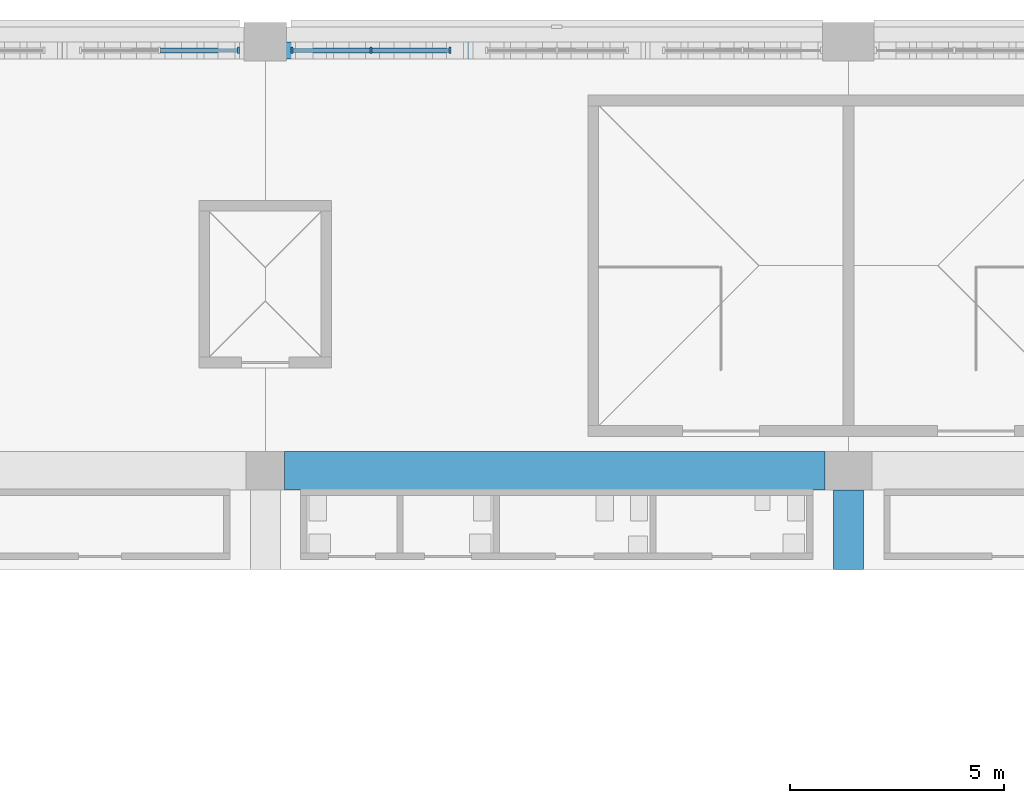
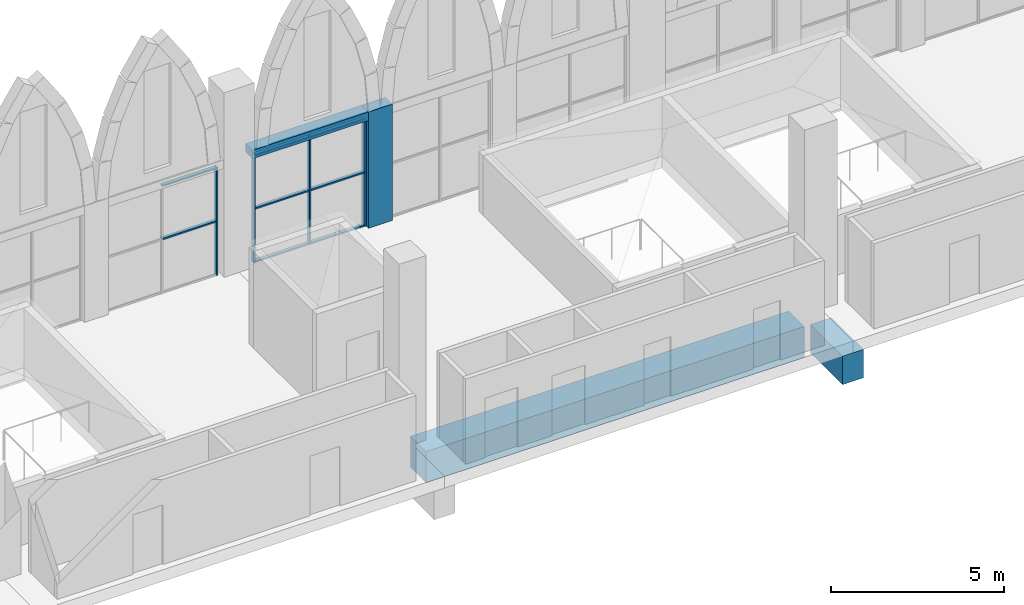
# One storey, part 37 of 130: 13 members, 3 beams, 2 elements without a shape of their own.
"""IFC4 building model written with IfcOpenShell, lengths in metres."""

from ifc_helpers import new_model, si_unit, direction, frame, origin, origin_2d, place, context, subcontext, project, spatial, rectangle, extrude, material, material_profile, profile_set, type_object, element, aggregate, save


model = new_model("IFC4")

# Units and contexts
model_context = context("Model", 3, precision=1e-05, world=origin(), true_north=direction((0.0, 1.0)))
body_context = subcontext(model_context, "Body", "Model", "MODEL_VIEW")
ifc_project = project(units=[si_unit("LENGTHUNIT", "METRE"), si_unit("AREAUNIT", "SQUARE_METRE"), si_unit("VOLUMEUNIT", "CUBIC_METRE"), si_unit("PLANEANGLEUNIT", "RADIAN"), si_unit("MASSUNIT", "GRAM", prefix="KILO")], contexts=[model_context])

# Site, building, storey
site_placement = place(None, origin())
site = spatial("IfcSite", under=ifc_project, at=site_placement, CompositionType="ELEMENT")
building_placement = place(site_placement, origin())
building = spatial("IfcBuilding", under=site, at=building_placement, Name="Ogive Plaza Stadium", CompositionType="ELEMENT")
storey_placement = place(building_placement, frame((0.0, 0.0, 22.5)))
storey = spatial("IfcBuildingStorey", under=building, at=storey_placement, Name="L05", CompositionType="ELEMENT", Elevation=22.5)

# Curtain wall, member
ifc_material_1 = material(Name="Bronze-anodised aluminium with laminated glass", Category="aluminium")
curtain_wall_type = type_object("IfcCurtainWallType", Name="Lancet curtain wall", PredefinedType="NOTDEFINED", material=ifc_material_1)
curtain_wall_1_placement = place(storey_placement, origin())
curtain_wall_1 = element("IfcCurtainWall", 1, at=curtain_wall_1_placement, inside=storey, type_object=curtain_wall_type, Name="CURTAIN WALL B34 L05", PredefinedType="NOTDEFINED")
ifc_material_2 = material(Name="Bronze-anodised aluminium", Category="aluminium")
ifc_material_profile_1 = material_profile(ifc_material_2, rectangle(XDim=0.14990234375, YDim=0.050048828125, at=origin_2d()), Name="AL 150x50")
ifc_profile_set_1 = profile_set([ifc_material_profile_1], Name="Bronze-anodised aluminium")
member_type_1 = type_object("IfcMemberType", Name="Curtain wall mullion 50x150", PredefinedType="MULLION", material=ifc_profile_set_1)
member_1_placement = place(storey_placement, frame((6.175048828125, 102.300048828125, 0.0), z_axis=(0.0, 0.0, 1.0), x_axis=(0.0, 1.0, 0.0)))
member_1 = element("IfcMember", 2, at=member_1_placement, type_object=member_type_1, Name="CW-B34-L05.3 mullion 3", PredefinedType="MULLION", context=body_context, shape_type="SweptSolid", body=[
    extrude(rectangle(XDim=0.14990234375, YDim=0.050048828125, at=origin_2d()), origin(), (0.0, 0.0, 1.0), 3.800048828125),
])

# Curtain wall, members
curtain_wall_2_placement = place(storey_placement, origin())
curtain_wall_2 = element("IfcCurtainWall", 3, at=curtain_wall_2_placement, inside=storey, type_object=curtain_wall_type, Name="CURTAIN WALL B35 L05", PredefinedType="NOTDEFINED")
member_2_placement = place(storey_placement, frame((7.425048828125, 102.300048828125, 0.0), z_axis=(0.0, 0.0, 1.0), x_axis=(0.0, 1.0, 0.0)))
member_2 = element("IfcMember", 4, at=member_2_placement, type_object=member_type_1, Name="CW-B35-L05.1 mullion 1", PredefinedType="MULLION", context=body_context, shape_type="SweptSolid", body=[
    extrude(rectangle(XDim=0.14990234375, YDim=0.050048828125, at=origin_2d()), origin(), (0.0, 0.0, 1.0), 3.800048828125),
])
member_3_placement = place(storey_placement, frame((9.2666015625, 102.300048828125, 0.0), z_axis=(0.0, 0.0, 1.0), x_axis=(0.0, 1.0, 0.0)))
member_3 = element("IfcMember", 5, at=member_3_placement, type_object=member_type_1, Name="CW-B35-L05.1 mullion 2", PredefinedType="MULLION", context=body_context, shape_type="SweptSolid", body=[
    extrude(rectangle(XDim=0.14990234375, YDim=0.050048828125, at=origin_2d()), origin(), (0.0, 0.0, 1.0), 3.800048828125),
])
member_4_placement = place(storey_placement, frame((11.1083984375, 102.300048828125, 0.0), z_axis=(0.0, 0.0, 1.0), x_axis=(0.0, 1.0, 0.0)))
member_4 = element("IfcMember", 6, at=member_4_placement, type_object=member_type_1, Name="CW-B35-L05.1 mullion 3", PredefinedType="MULLION", context=body_context, shape_type="SweptSolid", body=[
    extrude(rectangle(XDim=0.14990234375, YDim=0.050048828125, at=origin_2d()), origin(), (0.0, 0.0, 1.0), 3.800048828125),
])

# Member
ifc_material_3 = material(Name="Bronze-anodised aluminium", Category="aluminium")
ifc_material_profile_2 = material_profile(ifc_material_3, rectangle(XDim=0.1201171875, YDim=0.050048828125, at=origin_2d()), Name="AL 120x50")
ifc_profile_set_2 = profile_set([ifc_material_profile_2], Name="Bronze-anodised aluminium")
member_type_2 = type_object("IfcMemberType", Name="Curtain wall transom 50x120", PredefinedType="USERDEFINED", material=ifc_profile_set_2)
member_5_placement = place(storey_placement, frame((4.3583984375, 102.300048828125, 1.89990234375), z_axis=(1.0, 0.0, 0.0), x_axis=(0.0, 1.0, 0.0)))
member_5 = element("IfcMember", 7, at=member_5_placement, type_object=member_type_2, Name="CW-B34-L05.3 transom 2.2", ObjectType="TRANSOM", PredefinedType="USERDEFINED", context=body_context, shape_type="SweptSolid", body=[
    extrude(rectangle(XDim=0.1201171875, YDim=0.050048828125, at=origin_2d()), origin(), (0.0, 0.0, 1.0), 1.79150390625),
])

member_6_placement = place(storey_placement, frame((4.3583984375, 102.300048828125, 3.77490234375), z_axis=(1.0, 0.0, 0.0), x_axis=(0.0, 1.0, 0.0)))
member_6 = element("IfcMember", 8, at=member_6_placement, type_object=member_type_2, Name="CW-B34-L05.3 transom 2.3", ObjectType="TRANSOM", PredefinedType="USERDEFINED", context=body_context, shape_type="SweptSolid", body=[
    extrude(rectangle(XDim=0.1201171875, YDim=0.050048828125, at=origin_2d()), origin(), (0.0, 0.0, 1.0), 1.79150390625),
])

aggregate(curtain_wall_1, [member_1, member_5, member_6])

member_7_placement = place(storey_placement, frame((7.449951171875, 102.300048828125, 0.02490234375), z_axis=(1.0, 0.0, 0.0), x_axis=(0.0, 1.0, 0.0)))
member_7 = element("IfcMember", 9, at=member_7_placement, type_object=member_type_2, Name="CW-B35-L05.1 transom 1.1", ObjectType="TRANSOM", PredefinedType="USERDEFINED", context=body_context, shape_type="SweptSolid", body=[
    extrude(rectangle(XDim=0.1201171875, YDim=0.050048828125, at=origin_2d()), origin(), (0.0, 0.0, 1.0), 1.791748046875),
])

member_8_placement = place(storey_placement, frame((7.449951171875, 102.300048828125, 1.89990234375), z_axis=(1.0, 0.0, 0.0), x_axis=(0.0, 1.0, 0.0)))
member_8 = element("IfcMember", 10, at=member_8_placement, type_object=member_type_2, Name="CW-B35-L05.1 transom 1.2", ObjectType="TRANSOM", PredefinedType="USERDEFINED", context=body_context, shape_type="SweptSolid", body=[
    extrude(rectangle(XDim=0.1201171875, YDim=0.050048828125, at=origin_2d()), origin(), (0.0, 0.0, 1.0), 1.791748046875),
])

member_9_placement = place(storey_placement, frame((7.449951171875, 102.300048828125, 3.77490234375), z_axis=(1.0, 0.0, 0.0), x_axis=(0.0, 1.0, 0.0)))
member_9 = element("IfcMember", 11, at=member_9_placement, type_object=member_type_2, Name="CW-B35-L05.1 transom 1.3", ObjectType="TRANSOM", PredefinedType="USERDEFINED", context=body_context, shape_type="SweptSolid", body=[
    extrude(rectangle(XDim=0.1201171875, YDim=0.050048828125, at=origin_2d()), origin(), (0.0, 0.0, 1.0), 1.791748046875),
])

member_10_placement = place(storey_placement, frame((9.291748046875, 102.300048828125, 0.02490234375), z_axis=(1.0, 0.0, 0.0), x_axis=(0.0, 1.0, 0.0)))
member_10 = element("IfcMember", 12, at=member_10_placement, type_object=member_type_2, Name="CW-B35-L05.1 transom 2.1", ObjectType="TRANSOM", PredefinedType="USERDEFINED", context=body_context, shape_type="SweptSolid", body=[
    extrude(rectangle(XDim=0.1201171875, YDim=0.050048828125, at=origin_2d()), origin(), (0.0, 0.0, 1.0), 1.79150390625),
])

member_11_placement = place(storey_placement, frame((9.291748046875, 102.300048828125, 1.89990234375), z_axis=(1.0, 0.0, 0.0), x_axis=(0.0, 1.0, 0.0)))
member_11 = element("IfcMember", 13, at=member_11_placement, type_object=member_type_2, Name="CW-B35-L05.1 transom 2.2", ObjectType="TRANSOM", PredefinedType="USERDEFINED", context=body_context, shape_type="SweptSolid", body=[
    extrude(rectangle(XDim=0.1201171875, YDim=0.050048828125, at=origin_2d()), origin(), (0.0, 0.0, 1.0), 1.79150390625),
])

member_12_placement = place(storey_placement, frame((9.291748046875, 102.300048828125, 3.77490234375), z_axis=(1.0, 0.0, 0.0), x_axis=(0.0, 1.0, 0.0)))
member_12 = element("IfcMember", 14, at=member_12_placement, type_object=member_type_2, Name="CW-B35-L05.1 transom 2.3", ObjectType="TRANSOM", PredefinedType="USERDEFINED", context=body_context, shape_type="SweptSolid", body=[
    extrude(rectangle(XDim=0.1201171875, YDim=0.050048828125, at=origin_2d()), origin(), (0.0, 0.0, 1.0), 1.79150390625),
])

aggregate(curtain_wall_2, [member_2, member_3, member_4, member_7, member_8, member_9, member_10, member_11, member_12])

ifc_material_4 = material(Name="Concrete C45/55 precast", Category="concrete")
ifc_material_profile_3 = material_profile(ifc_material_4, rectangle(XDim=0.39990234375, YDim=0.800048828125, at=origin_2d()), Name="RC 400x800")
ifc_profile_set_3 = profile_set([ifc_material_profile_3], Name="Concrete C45/55 precast")
member_type_3 = type_object("IfcMemberType", Name="Precast colonette 800x400", PredefinedType="POST", material=ifc_profile_set_3)
member_13_placement = place(storey_placement, frame((11.533447265625, 102.300048828125, 0.0), z_axis=(0.0, 0.0, 1.0), x_axis=(0.0, 1.0, 0.0)))
element("IfcMember", 15, at=member_13_placement, inside=storey, type_object=member_type_3, Name="COLONETTE B35 1", PredefinedType="POST", context=body_context, shape_type="SweptSolid", body=[
    extrude(rectangle(XDim=0.39990234375, YDim=0.800048828125, at=origin_2d()), origin(), (0.0, 0.0, 1.0), 4.10009765625),
])

# Beams
ifc_material_5 = material(Name="Concrete C45/55 precast", Category="concrete")
ifc_material_profile_4 = material_profile(ifc_material_5, rectangle(XDim=0.39990234375, YDim=0.300048828125, at=origin_2d()), Name="RC 400x300")
ifc_profile_set_4 = profile_set([ifc_material_profile_4], Name="Concrete C45/55 precast")
beam_type_1 = type_object("IfcBeamType", Name="Precast tympanum lintel 400x300", PredefinedType="BEAM", material=ifc_profile_set_4)
beam_1_placement = place(storey_placement, frame((7.27001953125, 102.300048828125, 3.949951171875), z_axis=(1.0, 0.0, 0.0), x_axis=(0.0, 1.0, 0.0)))
element("IfcBeam", 16, at=beam_1_placement, inside=storey, type_object=beam_type_1, Name="TYMPANUM LINTEL B35 1", PredefinedType="BEAM", context=body_context, shape_type="SweptSolid", body=[
    extrude(rectangle(XDim=0.39990234375, YDim=0.300048828125, at=origin_2d()), origin(), (0.0, 0.0, 1.0), 3.893310546875),
])
ifc_material_6 = material(Name="Concrete C40/50", Category="concrete")
ifc_material_profile_5 = material_profile(ifc_material_6, rectangle(XDim=0.699951171875, YDim=1.0, at=origin_2d()), Name="RC 700x1000")
ifc_profile_set_5 = profile_set([ifc_material_profile_5], Name="Concrete C40/50")
beam_type_2 = type_object("IfcBeamType", Name="RC radial beam 700x1000", PredefinedType="BEAM", material=ifc_profile_set_5)
beam_2_placement = place(storey_placement, frame((20.39990234375, 90.199951171875, -0.909912109375), z_axis=(0.0, 1.0, 0.0), x_axis=(-1.0, 0.0, 0.0)))
element("IfcBeam", 17, at=beam_2_placement, inside=storey, type_object=beam_type_2, Name="Raker tail beam UT R36", PredefinedType="BEAM", context=body_context, shape_type="SweptSolid", body=[
    extrude(rectangle(XDim=0.699951171875, YDim=1.0, at=origin_2d()), origin(), (0.0, 0.0, 1.0), 1.85009765625),
])
ifc_material_7 = material(Name="Concrete C40/50", Category="concrete")
ifc_material_profile_6 = material_profile(ifc_material_7, rectangle(XDim=0.89990234375, YDim=1.10009765625, at=origin_2d()), Name="RC 900x1100")
ifc_profile_set_6 = profile_set([ifc_material_profile_6], Name="Concrete C40/50")
beam_type_3 = type_object("IfcBeamType", Name="RC ring beam 900x1100", PredefinedType="BEAM", material=ifc_profile_set_6)
beam_3_placement = place(storey_placement, frame((7.25, 92.5, -0.9599609375), z_axis=(1.0, 0.0, 0.0), x_axis=(0.0, 1.0, 0.0)))
element("IfcBeam", 18, at=beam_3_placement, inside=storey, type_object=beam_type_3, Name="Ring beam F4 L05 B35", PredefinedType="BEAM", context=body_context, shape_type="SweptSolid", body=[
    extrude(rectangle(XDim=0.89990234375, YDim=1.10009765625, at=origin_2d()), origin(), (0.0, 0.0, 1.0), 12.60009765625),
])

save(model, "model.ifc")
